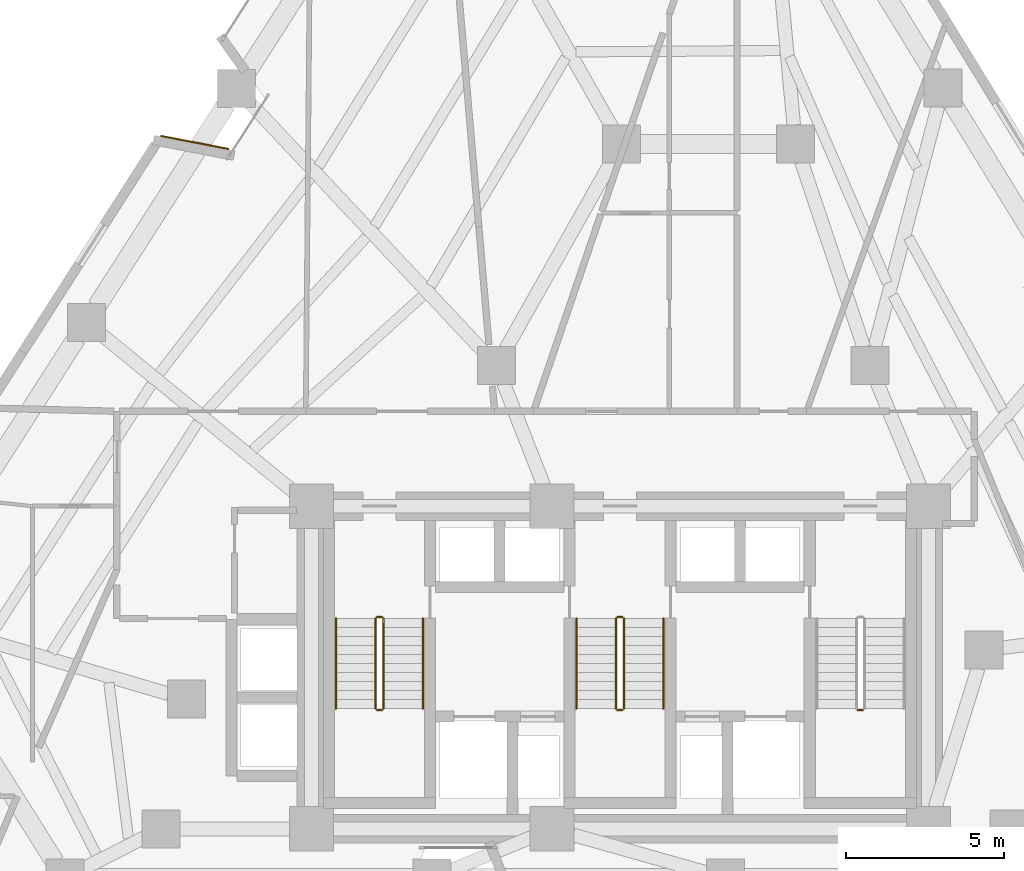
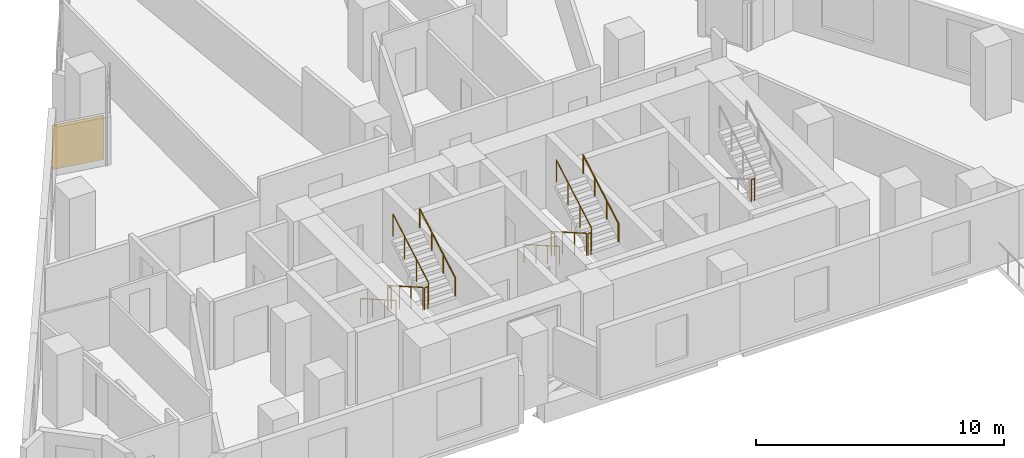
# One storey, part 11 of 13: 13 railings, 1 covering.
"""IFC4 building model written with IfcOpenShell, lengths in metres."""

from ifc_helpers import new_model, si_unit, direction, frame, origin, origin_2d, place, context, subcontext, project, spatial, rectangle, circle, extrude, material, layer, layer_set, type_object, element, save


model = new_model("IFC4")

# Units and contexts
model_context = context("Model", 3, precision=1e-05, world=origin(), true_north=direction((0.0, 1.0)))
body_context = subcontext(model_context, "Body", "Model", "MODEL_VIEW")
ifc_project = project(units=[si_unit("LENGTHUNIT", "METRE"), si_unit("AREAUNIT", "SQUARE_METRE"), si_unit("VOLUMEUNIT", "CUBIC_METRE"), si_unit("PLANEANGLEUNIT", "RADIAN"), si_unit("MASSUNIT", "GRAM", prefix="KILO")], contexts=[model_context])

# Site, building, storey
site_placement = place(None, origin())
site = spatial("IfcSite", under=ifc_project, at=site_placement, CompositionType="ELEMENT")
building_placement = place(site_placement, origin())
building = spatial("IfcBuilding", under=site, at=building_placement, Name="Almagre Mirador Tower", CompositionType="ELEMENT")
storey_placement = place(building_placement, frame((0.0, 0.0, 85.800048828125)))
storey = spatial("IfcBuildingStorey", under=building, at=storey_placement, Name="L21", CompositionType="ELEMENT", Elevation=85.800048828125)

# Covering
ifc_material_1 = material(Name="Almagre terracotta architectural cladding", Category="masonry")
ifc_layer = layer(ifc_material_1, 0.044921875)
ifc_layer_set = layer_set([ifc_layer], Name="Almagre terracotta architectural cladding")
covering_type = type_object("IfcCoveringType", Name="COV-CLAD-ALMAGRE", PredefinedType="CLADDING", material=ifc_layer_set)
covering_placement = place(storey_placement, frame((23.86279296875, 26.245361328125, 0.10009765625), z_axis=(0.0, 0.0, 1.0), x_axis=(0.981760154029, -0.190123643878, 0.0)))
element("IfcCovering", 1, at=covering_placement, inside=storey, type_object=covering_type, Name="L21 almagre terracotta pier cladding", PredefinedType="CLADDING", context=body_context, shape_type="SweptSolid", body=[
    extrude(rectangle(XDim=2.194091796875, YDim=0.044921875, at=origin_2d()), origin(), (0.0, 0.0, 1.0), 2.175048828125),
])

# Railings
ifc_material_2 = material(Name="Painted galvanized steel", Category="steel")
railing_type_1 = type_object("IfcRailingType", Name="RLG-GRD-1100", PredefinedType="GUARDRAIL", material=ifc_material_2)
railing_1_placement = place(storey_placement, frame((29.574951171875, 11.199951171875, 0.16357421875)))
element("IfcRailing", 2, at=railing_1_placement, inside=storey, type_object=railing_type_1, Name="L21 ST-1 stair guard 1", PredefinedType="GUARDRAIL", context=body_context, shape_type="SweptSolid", body=[
    extrude(circle(Radius=0.02392578125, at=origin_2d()), frame((0.0, 0.0, 1.09619140625), z_axis=(0.0, -0.867194282975, 0.497969954491), x_axis=(1.0, 0.0, 0.0)), (0.0, 0.0, 1.0), 3.286376953125),
    extrude(circle(Radius=0.02099609375, at=origin_2d()), origin(), (0.0, 0.0, 1.0), 1.072021484375),
    extrude(circle(Radius=0.02099609375, at=origin_2d()), frame((0.0, -0.949951171875, 0.54541015625)), (0.0, 0.0, 1.0), 1.072021484375),
    extrude(circle(Radius=0.02099609375, at=origin_2d()), frame((0.0, -1.89990234375, 1.091064453125)), (0.0, 0.0, 1.0), 1.072021484375),
    extrude(circle(Radius=0.02099609375, at=origin_2d()), frame((0.0, -2.849853515625, 1.636474609375)), (0.0, 0.0, 1.0), 1.072021484375),
])
railing_2_placement = place(storey_placement, frame((29.625, 8.300048828125, 1.800048828125)))
element("IfcRailing", 3, at=railing_2_placement, inside=storey, type_object=railing_type_1, Name="L21 ST-1 stair guard 2", PredefinedType="GUARDRAIL", context=body_context, shape_type="SweptSolid", body=[
    extrude(circle(Radius=0.02392578125, at=origin_2d()), frame((0.0, 0.0, 1.09619140625), z_axis=(1.0, 0.0, 0.0), x_axis=(0.0, 1.0, 0.0)), (0.0, 0.0, 1.0), 0.14990234375),
    extrude(circle(Radius=0.02099609375, at=origin_2d()), origin(), (0.0, 0.0, 1.0), 1.072021484375),
    extrude(circle(Radius=0.02099609375, at=origin_2d()), frame((0.14990234375, 0.0, 0.0)), (0.0, 0.0, 1.0), 1.072021484375),
])
railing_3_placement = place(storey_placement, frame((29.824951171875, 8.35009765625, 1.963623046875)))
element("IfcRailing", 4, at=railing_3_placement, inside=storey, type_object=railing_type_1, Name="L21 ST-1 stair guard 3", PredefinedType="GUARDRAIL", context=body_context, shape_type="SweptSolid", body=[
    extrude(circle(Radius=0.02392578125, at=origin_2d()), frame((0.0, 0.0, 1.09619140625), z_axis=(0.0, 0.867226363773, 0.497914082927), x_axis=(-1.0, 0.0, 0.0)), (0.0, 0.0, 1.0), 3.2861328125),
    extrude(circle(Radius=0.02099609375, at=origin_2d()), origin(), (0.0, 0.0, 1.0), 1.072021484375),
    extrude(circle(Radius=0.02099609375, at=origin_2d()), frame((0.0, 0.949951171875, 0.54541015625)), (0.0, 0.0, 1.0), 1.072021484375),
    extrude(circle(Radius=0.02099609375, at=origin_2d()), frame((0.0, 1.89990234375, 1.0908203125)), (0.0, 0.0, 1.0), 1.072021484375),
    extrude(circle(Radius=0.02099609375, at=origin_2d()), frame((0.0, 2.849853515625, 1.63623046875)), (0.0, 0.0, 1.0), 1.072021484375),
])
railing_4_placement = place(storey_placement, frame((29.625, 11.25, 0.0)))
element("IfcRailing", 5, at=railing_4_placement, inside=storey, type_object=railing_type_1, Name="L21 ST-1 stair guard 4", PredefinedType="GUARDRAIL", context=body_context, shape_type="SweptSolid", body=[
    extrude(circle(Radius=0.02392578125, at=origin_2d()), frame((0.0, 0.0, 1.09619140625), z_axis=(1.0, 0.0, 0.0), x_axis=(0.0, 1.0, 0.0)), (0.0, 0.0, 1.0), 0.14990234375),
    extrude(circle(Radius=0.02099609375, at=origin_2d()), origin(), (0.0, 0.0, 1.0), 1.072021484375),
    extrude(circle(Radius=0.02099609375, at=origin_2d()), frame((0.14990234375, 0.0, 0.0)), (0.0, 0.0, 1.0), 1.072021484375),
])
railing_5_placement = place(storey_placement, frame((37.175048828125, 11.199951171875, 0.16357421875)))
element("IfcRailing", 6, at=railing_5_placement, inside=storey, type_object=railing_type_1, Name="L21 ST-2 stair guard 1", PredefinedType="GUARDRAIL", context=body_context, shape_type="SweptSolid", body=[
    extrude(circle(Radius=0.02392578125, at=origin_2d()), frame((0.0, 0.0, 1.09619140625), z_axis=(0.0, -0.867194282975, 0.497969954491), x_axis=(1.0, 0.0, 0.0)), (0.0, 0.0, 1.0), 3.286376953125),
    extrude(circle(Radius=0.02099609375, at=origin_2d()), origin(), (0.0, 0.0, 1.0), 1.072021484375),
    extrude(circle(Radius=0.02099609375, at=origin_2d()), frame((0.0, -0.949951171875, 0.54541015625)), (0.0, 0.0, 1.0), 1.072021484375),
    extrude(circle(Radius=0.02099609375, at=origin_2d()), frame((0.0, -1.89990234375, 1.091064453125)), (0.0, 0.0, 1.0), 1.072021484375),
    extrude(circle(Radius=0.02099609375, at=origin_2d()), frame((0.0, -2.849853515625, 1.636474609375)), (0.0, 0.0, 1.0), 1.072021484375),
])
railing_6_placement = place(storey_placement, frame((37.22509765625, 8.300048828125, 1.800048828125)))
element("IfcRailing", 7, at=railing_6_placement, inside=storey, type_object=railing_type_1, Name="L21 ST-2 stair guard 2", PredefinedType="GUARDRAIL", context=body_context, shape_type="SweptSolid", body=[
    extrude(circle(Radius=0.02392578125, at=origin_2d()), frame((0.0, 0.0, 1.09619140625), z_axis=(1.0, 0.0, 0.0), x_axis=(0.0, 1.0, 0.0)), (0.0, 0.0, 1.0), 0.14990234375),
    extrude(circle(Radius=0.02099609375, at=origin_2d()), origin(), (0.0, 0.0, 1.0), 1.072021484375),
    extrude(circle(Radius=0.02099609375, at=origin_2d()), frame((0.14990234375, 0.0, 0.0)), (0.0, 0.0, 1.0), 1.072021484375),
])
railing_7_placement = place(storey_placement, frame((37.425048828125, 8.35009765625, 1.963623046875)))
element("IfcRailing", 8, at=railing_7_placement, inside=storey, type_object=railing_type_1, Name="L21 ST-2 stair guard 3", PredefinedType="GUARDRAIL", context=body_context, shape_type="SweptSolid", body=[
    extrude(circle(Radius=0.02392578125, at=origin_2d()), frame((0.0, 0.0, 1.09619140625), z_axis=(0.0, 0.867226363773, 0.497914082927), x_axis=(-1.0, 0.0, 0.0)), (0.0, 0.0, 1.0), 3.2861328125),
    extrude(circle(Radius=0.02099609375, at=origin_2d()), origin(), (0.0, 0.0, 1.0), 1.072021484375),
    extrude(circle(Radius=0.02099609375, at=origin_2d()), frame((0.0, 0.949951171875, 0.54541015625)), (0.0, 0.0, 1.0), 1.072021484375),
    extrude(circle(Radius=0.02099609375, at=origin_2d()), frame((0.0, 1.89990234375, 1.0908203125)), (0.0, 0.0, 1.0), 1.072021484375),
    extrude(circle(Radius=0.02099609375, at=origin_2d()), frame((0.0, 2.849853515625, 1.63623046875)), (0.0, 0.0, 1.0), 1.072021484375),
])
railing_8_placement = place(storey_placement, frame((37.22509765625, 11.25, 0.0)))
element("IfcRailing", 9, at=railing_8_placement, inside=storey, type_object=railing_type_1, Name="L21 ST-2 stair guard 4", PredefinedType="GUARDRAIL", context=body_context, shape_type="SweptSolid", body=[
    extrude(circle(Radius=0.02392578125, at=origin_2d()), frame((0.0, 0.0, 1.09619140625), z_axis=(1.0, 0.0, 0.0), x_axis=(0.0, 1.0, 0.0)), (0.0, 0.0, 1.0), 0.14990234375),
    extrude(circle(Radius=0.02099609375, at=origin_2d()), origin(), (0.0, 0.0, 1.0), 1.072021484375),
    extrude(circle(Radius=0.02099609375, at=origin_2d()), frame((0.14990234375, 0.0, 0.0)), (0.0, 0.0, 1.0), 1.072021484375),
])
railing_9_placement = place(storey_placement, frame((44.824951171875, 8.300048828125, 1.800048828125)))
element("IfcRailing", 10, at=railing_9_placement, inside=storey, type_object=railing_type_1, Name="L21 ST-3 stair guard 2", PredefinedType="GUARDRAIL", context=body_context, shape_type="SweptSolid", body=[
    extrude(circle(Radius=0.02392578125, at=origin_2d()), frame((0.0, 0.0, 1.09619140625), z_axis=(1.0, 0.0, 0.0), x_axis=(0.0, 1.0, 0.0)), (0.0, 0.0, 1.0), 0.150146484375),
    extrude(circle(Radius=0.02099609375, at=origin_2d()), origin(), (0.0, 0.0, 1.0), 1.072021484375),
    extrude(circle(Radius=0.02099609375, at=origin_2d()), frame((0.150146484375, 0.0, 0.0)), (0.0, 0.0, 1.0), 1.072021484375),
])
ifc_material_3 = material(Name="Brushed stainless steel", Category="steel")
railing_type_2 = type_object("IfcRailingType", Name="RLG-HND-915", PredefinedType="HANDRAIL", material=ifc_material_3)
railing_10_placement = place(storey_placement, frame((28.324951171875, 11.199951171875, 0.16357421875)))
element("IfcRailing", 11, at=railing_10_placement, inside=storey, type_object=railing_type_2, Name="L21 ST-1 stair handrail 1", PredefinedType="HANDRAIL", context=body_context, shape_type="SweptSolid", body=[
    extrude(circle(Radius=0.02392578125, at=origin_2d()), frame((0.0, 0.0, 0.89111328125), z_axis=(0.0, -0.867194282975, 0.497969954491), x_axis=(1.0, 0.0, 0.0)), (0.0, 0.0, 1.0), 3.286376953125),
    extrude(circle(Radius=0.02099609375, at=origin_2d()), origin(), (0.0, 0.0, 1.0), 0.866943359375),
    extrude(circle(Radius=0.02099609375, at=origin_2d()), frame((0.0, -0.949951171875, 0.54541015625)), (0.0, 0.0, 1.0), 0.866943359375),
    extrude(circle(Radius=0.02099609375, at=origin_2d()), frame((0.0, -1.89990234375, 1.091064453125)), (0.0, 0.0, 1.0), 0.866943359375),
    extrude(circle(Radius=0.02099609375, at=origin_2d()), frame((0.0, -2.849853515625, 1.636474609375)), (0.0, 0.0, 1.0), 0.866943359375),
])
railing_11_placement = place(storey_placement, frame((31.074951171875, 8.35009765625, 1.963623046875)))
element("IfcRailing", 12, at=railing_11_placement, inside=storey, type_object=railing_type_2, Name="L21 ST-1 stair handrail 2", PredefinedType="HANDRAIL", context=body_context, shape_type="SweptSolid", body=[
    extrude(circle(Radius=0.02392578125, at=origin_2d()), frame((0.0, 0.0, 0.89111328125), z_axis=(0.0, 0.867226363773, 0.497914082927), x_axis=(-1.0, 0.0, 0.0)), (0.0, 0.0, 1.0), 3.2861328125),
    extrude(circle(Radius=0.02099609375, at=origin_2d()), origin(), (0.0, 0.0, 1.0), 0.866943359375),
    extrude(circle(Radius=0.02099609375, at=origin_2d()), frame((0.0, 0.949951171875, 0.54541015625)), (0.0, 0.0, 1.0), 0.866943359375),
    extrude(circle(Radius=0.02099609375, at=origin_2d()), frame((0.0, 1.89990234375, 1.0908203125)), (0.0, 0.0, 1.0), 0.866943359375),
    extrude(circle(Radius=0.02099609375, at=origin_2d()), frame((0.0, 2.849853515625, 1.63623046875)), (0.0, 0.0, 1.0), 0.866943359375),
])
railing_12_placement = place(storey_placement, frame((35.925048828125, 11.199951171875, 0.16357421875)))
element("IfcRailing", 13, at=railing_12_placement, inside=storey, type_object=railing_type_2, Name="L21 ST-2 stair handrail 1", PredefinedType="HANDRAIL", context=body_context, shape_type="SweptSolid", body=[
    extrude(circle(Radius=0.02392578125, at=origin_2d()), frame((0.0, 0.0, 0.89111328125), z_axis=(0.0, -0.867194282975, 0.497969954491), x_axis=(1.0, 0.0, 0.0)), (0.0, 0.0, 1.0), 3.286376953125),
    extrude(circle(Radius=0.02099609375, at=origin_2d()), origin(), (0.0, 0.0, 1.0), 0.866943359375),
    extrude(circle(Radius=0.02099609375, at=origin_2d()), frame((0.0, -0.949951171875, 0.54541015625)), (0.0, 0.0, 1.0), 0.866943359375),
    extrude(circle(Radius=0.02099609375, at=origin_2d()), frame((0.0, -1.89990234375, 1.091064453125)), (0.0, 0.0, 1.0), 0.866943359375),
    extrude(circle(Radius=0.02099609375, at=origin_2d()), frame((0.0, -2.849853515625, 1.636474609375)), (0.0, 0.0, 1.0), 0.866943359375),
])
railing_13_placement = place(storey_placement, frame((38.675048828125, 8.35009765625, 1.963623046875)))
element("IfcRailing", 14, at=railing_13_placement, inside=storey, type_object=railing_type_2, Name="L21 ST-2 stair handrail 2", PredefinedType="HANDRAIL", context=body_context, shape_type="SweptSolid", body=[
    extrude(circle(Radius=0.02392578125, at=origin_2d()), frame((0.0, 0.0, 0.89111328125), z_axis=(0.0, 0.867226363773, 0.497914082927), x_axis=(-1.0, 0.0, 0.0)), (0.0, 0.0, 1.0), 3.2861328125),
    extrude(circle(Radius=0.02099609375, at=origin_2d()), origin(), (0.0, 0.0, 1.0), 0.866943359375),
    extrude(circle(Radius=0.02099609375, at=origin_2d()), frame((0.0, 0.949951171875, 0.54541015625)), (0.0, 0.0, 1.0), 0.866943359375),
    extrude(circle(Radius=0.02099609375, at=origin_2d()), frame((0.0, 1.89990234375, 1.0908203125)), (0.0, 0.0, 1.0), 0.866943359375),
    extrude(circle(Radius=0.02099609375, at=origin_2d()), frame((0.0, 2.849853515625, 1.63623046875)), (0.0, 0.0, 1.0), 0.866943359375),
])

save(model, "model.ifc")
